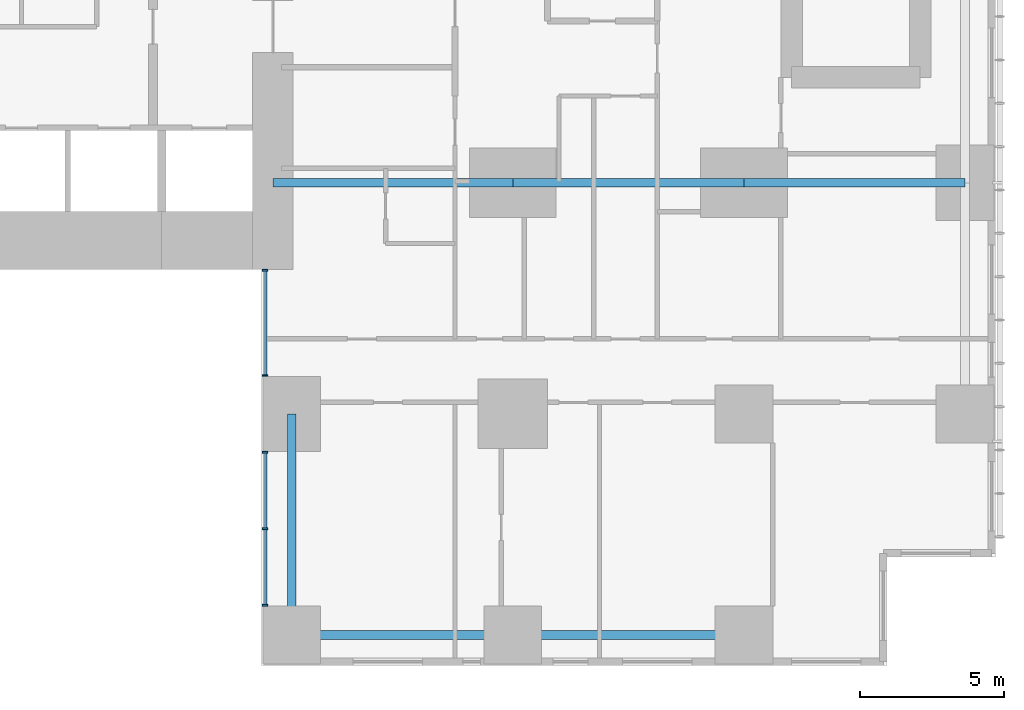
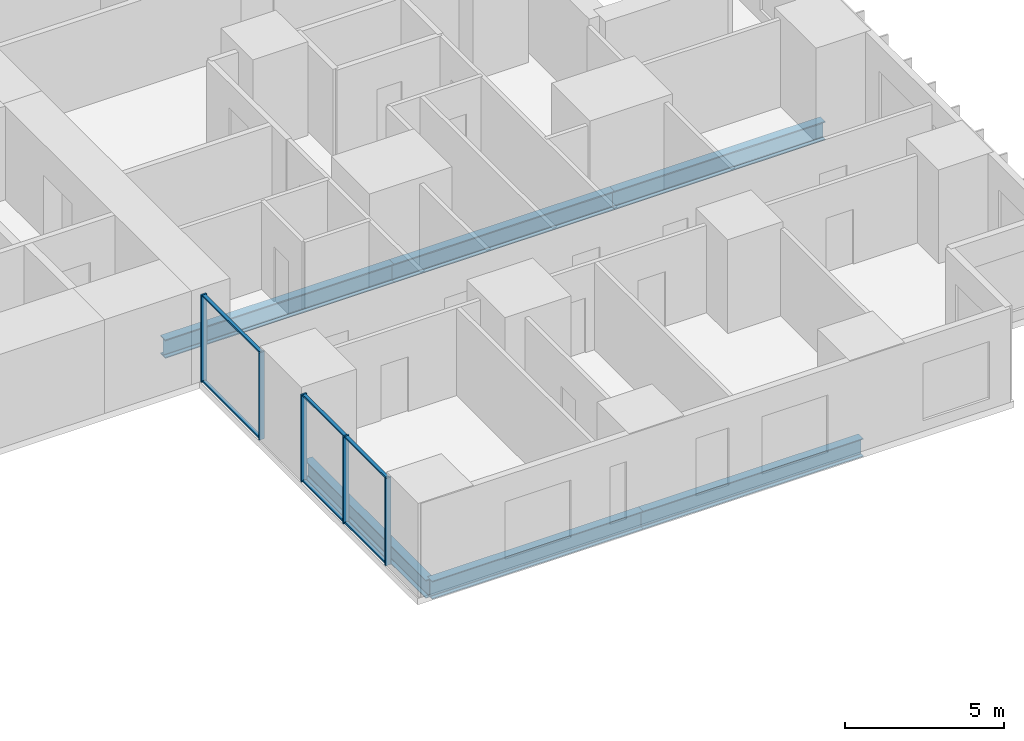
# One storey, part 3 of 20: 11 members, 6 beams, 2 elements without a shape of their own.
"""IFC4 building model written with IfcOpenShell, lengths in metres."""

from ifc_helpers import new_model, si_unit, direction, frame, origin, origin_2d, place, context, subcontext, project, spatial, rectangle, i_section, extrude, material, layer, layer_set, material_profile, profile_set, type_object, element, aggregate, save


model = new_model("IFC4")

# Units and contexts
model_context = context("Model", 3, precision=1e-05, world=origin(), true_north=direction((0.0, 1.0)))
body_context = subcontext(model_context, "Body", "Model", "MODEL_VIEW")
ifc_project = project(units=[si_unit("LENGTHUNIT", "METRE"), si_unit("AREAUNIT", "SQUARE_METRE"), si_unit("VOLUMEUNIT", "CUBIC_METRE"), si_unit("PLANEANGLEUNIT", "RADIAN"), si_unit("MASSUNIT", "GRAM", prefix="KILO")], contexts=[model_context])

# Site, building, storey
site_placement = place(None, origin())
site = spatial("IfcSite", under=ifc_project, at=site_placement, CompositionType="ELEMENT")
building_placement = place(site_placement, origin())
building = spatial("IfcBuilding", under=site, at=building_placement, Name="Cleftline Residences", CompositionType="ELEMENT")
storey_placement = place(building_placement, frame((0.0, 0.0, 143.0)))
storey = spatial("IfcBuildingStorey", under=building, at=storey_placement, Name="L37", CompositionType="ELEMENT", Elevation=143.0)

# Beams
ifc_material_1 = material(Name="Steel S355", Category="steel")
ifc_material_profile_1 = material_profile(ifc_material_1, i_section(OverallWidth=0.300048828125, OverallDepth=0.699951171875, WebThickness=0.01708984375, FlangeThickness=0.031982421875, FilletRadius=0.027099609375, at=origin_2d()))
ifc_profile_set_1 = profile_set([ifc_material_profile_1], Name="Steel S355")
beam_type_1 = type_object("IfcBeamType", Name="BEAM HEB 700", PredefinedType="BEAM", material=ifc_profile_set_1)
beam_1_placement = place(storey_placement, frame((58.0, 0.35009765625, -0.60009765625), z_axis=(-1.0, 0.0, 0.0), x_axis=(0.0, -1.0, 0.0)))
element("IfcBeam", 1, at=beam_1_placement, inside=storey, type_object=beam_type_1, Name="Edge beam", PredefinedType="BEAM", context=body_context, shape_type="SweptSolid", body=[
    extrude(i_section(OverallWidth=0.300048828125, OverallDepth=0.699951171875, WebThickness=0.01708984375, FlangeThickness=0.031982421875, FilletRadius=0.027099609375, at=origin_2d()), origin(), (0.0, 0.0, 1.0), 8.0),
])
for number, where, z_axis, x_axis, name in (
    (2, (50.0, 0.35009765625, -0.60009765625), (-1.0, 0.0, 0.0), (0.0, -1.0, 0.0), "Edge beam"),
    (3, (42.35009765625, 0.35009765625, -0.60009765625), (0.0, 1.0, 0.0), (-1.0, 0.0, 0.0), "Edge beam"),
):
    element("IfcBeam", number, at=place(storey_placement, frame(where, z_axis=z_axis, x_axis=x_axis)), inside=storey, type_object=beam_type_1, Name=name, PredefinedType="BEAM", context=body_context, shape_type="SweptSolid", body=[
        extrude(i_section(OverallWidth=0.300048828125, OverallDepth=0.699951171875, WebThickness=0.01708984375, FlangeThickness=0.031982421875, FilletRadius=0.027099609375, at=origin_2d()), origin(), (0.0, 0.0, 1.0), 7.64990234375),
    ])
ifc_material_2 = material(Name="Steel S355", Category="steel")
ifc_material_profile_2 = material_profile(ifc_material_2, i_section(OverallWidth=0.303955078125, OverallDepth=0.716064453125, WebThickness=0.02099609375, FlangeThickness=0.0400390625, FilletRadius=0.027099609375, at=origin_2d()))
ifc_profile_set_2 = profile_set([ifc_material_profile_2], Name="Steel S355")
beam_type_2 = type_object("IfcBeamType", Name="BEAM HEM 700", PredefinedType="BEAM", material=ifc_profile_set_2)
beam_2_placement = place(storey_placement, frame((65.64990234375, 16.0, -0.60791015625), z_axis=(-1.0, 0.0, 0.0), x_axis=(0.0, -1.0, 0.0)))
element("IfcBeam", 4, at=beam_2_placement, inside=storey, type_object=beam_type_2, Name="Band beam", PredefinedType="BEAM", context=body_context, shape_type="SweptSolid", body=[
    extrude(i_section(OverallWidth=0.303955078125, OverallDepth=0.716064453125, WebThickness=0.02099609375, FlangeThickness=0.0400390625, FilletRadius=0.027099609375, at=origin_2d()), origin(), (0.0, 0.0, 1.0), 7.64990234375),
])
beam_3_placement = place(storey_placement, frame((58.0, 16.0, -0.60791015625), z_axis=(-1.0, 0.0, 0.0), x_axis=(0.0, -1.0, 0.0)))
element("IfcBeam", 5, at=beam_3_placement, inside=storey, type_object=beam_type_2, Name="Band beam", PredefinedType="BEAM", context=body_context, shape_type="SweptSolid", body=[
    extrude(i_section(OverallWidth=0.303955078125, OverallDepth=0.716064453125, WebThickness=0.02099609375, FlangeThickness=0.0400390625, FilletRadius=0.027099609375, at=origin_2d()), origin(), (0.0, 0.0, 1.0), 8.0),
])
beam_4_placement = place(storey_placement, frame((50.0, 16.0, -0.60791015625), z_axis=(-1.0, 0.0, 0.0), x_axis=(0.0, -1.0, 0.0)))
element("IfcBeam", 6, at=beam_4_placement, inside=storey, type_object=beam_type_2, Name="Band beam", PredefinedType="BEAM", context=body_context, shape_type="SweptSolid", body=[
    extrude(i_section(OverallWidth=0.303955078125, OverallDepth=0.716064453125, WebThickness=0.02099609375, FlangeThickness=0.0400390625, FilletRadius=0.027099609375, at=origin_2d()), origin(), (0.0, 0.0, 1.0), 8.300048828125),
])

# Curtain wall, members
ifc_material_3 = material(Name="Aluminium framed curtain wall", Category="aluminium")
ifc_layer = layer(ifc_material_3, 0.199951171875)
ifc_layer_set = layer_set([ifc_layer], Name="CW1 CLEFT GLAZING")
curtain_wall_type = type_object("IfcCurtainWallType", Name="CW1 CLEFT GLAZING", PredefinedType="NOTDEFINED", material=ifc_layer_set)
curtain_wall_1_placement = place(storey_placement, origin())
curtain_wall_1 = element("IfcCurtainWall", 7, at=curtain_wall_1_placement, inside=storey, type_object=curtain_wall_type, Name="Curtain wall CW1", PredefinedType="NOTDEFINED")
ifc_material_4 = material(Name="Aluminium mullion", Category="aluminium")
ifc_material_profile_3 = material_profile(ifc_material_4, rectangle(XDim=0.199951171875, YDim=0.06005859375, at=origin_2d()))
ifc_profile_set_3 = profile_set([ifc_material_profile_3], Name="Aluminium mullion")
member_type_1 = type_object("IfcMemberType", Name="CW1 MULLION", PredefinedType="MULLION", material=ifc_profile_set_3)
member_1_placement = place(storey_placement, frame((41.425048828125, 12.969970703125, 0.0), z_axis=(0.0, 0.0, 1.0), x_axis=(1.0, 0.0, 0.0)))
member_1 = element("IfcMember", 8, at=member_1_placement, type_object=member_type_1, Name="CW1 mullion 1", PredefinedType="MULLION", context=body_context, shape_type="SweptSolid", body=[
    extrude(rectangle(XDim=0.199951171875, YDim=0.06005859375, at=origin_2d()), origin(), (0.0, 0.0, 1.0), 3.35009765625),
])
member_2_placement = place(storey_placement, frame((41.425048828125, 9.330078125, 0.0), z_axis=(0.0, 0.0, 1.0), x_axis=(1.0, 0.0, 0.0)))
member_2 = element("IfcMember", 9, at=member_2_placement, type_object=member_type_1, Name="CW1 mullion 2", PredefinedType="MULLION", context=body_context, shape_type="SweptSolid", body=[
    extrude(rectangle(XDim=0.199951171875, YDim=0.06005859375, at=origin_2d()), origin(), (0.0, 0.0, 1.0), 3.35009765625),
])

curtain_wall_2_placement = place(storey_placement, origin())
curtain_wall_2 = element("IfcCurtainWall", 10, at=curtain_wall_2_placement, inside=storey, type_object=curtain_wall_type, Name="Curtain wall CW1", PredefinedType="NOTDEFINED")
member_3_placement = place(storey_placement, frame((41.425048828125, 6.669921875, 0.0), z_axis=(0.0, 0.0, 1.0), x_axis=(1.0, 0.0, 0.0)))
member_3 = element("IfcMember", 11, at=member_3_placement, type_object=member_type_1, Name="CW1 mullion 1", PredefinedType="MULLION", context=body_context, shape_type="SweptSolid", body=[
    extrude(rectangle(XDim=0.199951171875, YDim=0.06005859375, at=origin_2d()), origin(), (0.0, 0.0, 1.0), 3.35009765625),
])
member_4_placement = place(storey_placement, frame((41.425048828125, 4.02490234375, 0.0), z_axis=(0.0, 0.0, 1.0), x_axis=(1.0, 0.0, 0.0)))
member_4 = element("IfcMember", 12, at=member_4_placement, type_object=member_type_1, Name="CW1 mullion 2", PredefinedType="MULLION", context=body_context, shape_type="SweptSolid", body=[
    extrude(rectangle(XDim=0.199951171875, YDim=0.06005859375, at=origin_2d()), origin(), (0.0, 0.0, 1.0), 3.35009765625),
])
member_5_placement = place(storey_placement, frame((41.425048828125, 1.3798828125, 0.0), z_axis=(0.0, 0.0, 1.0), x_axis=(1.0, 0.0, 0.0)))
member_5 = element("IfcMember", 13, at=member_5_placement, type_object=member_type_1, Name="CW1 mullion 3", PredefinedType="MULLION", context=body_context, shape_type="SweptSolid", body=[
    extrude(rectangle(XDim=0.199951171875, YDim=0.06005859375, at=origin_2d()), origin(), (0.0, 0.0, 1.0), 3.35009765625),
])

# Member
ifc_material_5 = material(Name="Aluminium transom", Category="aluminium")
ifc_material_profile_4 = material_profile(ifc_material_5, rectangle(XDim=0.1201171875, YDim=0.06005859375, at=origin_2d()))
ifc_profile_set_4 = profile_set([ifc_material_profile_4], Name="Aluminium transom")
member_type_2 = type_object("IfcMemberType", Name="CW1 TRANSOM", PredefinedType="USERDEFINED", material=ifc_profile_set_4)
member_6_placement = place(storey_placement, frame((41.425048828125, 12.93994140625, 0.030029296875), z_axis=(0.0, -1.0, 0.0), x_axis=(1.0, 0.0, 0.0)))
member_6 = element("IfcMember", 14, at=member_6_placement, type_object=member_type_2, Name="CW1 transom 1.1", ObjectType="TRANSOM", PredefinedType="USERDEFINED", context=body_context, shape_type="SweptSolid", body=[
    extrude(rectangle(XDim=0.1201171875, YDim=0.06005859375, at=origin_2d()), origin(), (0.0, 0.0, 1.0), 3.579833984375),
])

member_7_placement = place(storey_placement, frame((41.425048828125, 12.93994140625, 3.320068359375), z_axis=(0.0, -1.0, 0.0), x_axis=(1.0, 0.0, 0.0)))
member_7 = element("IfcMember", 15, at=member_7_placement, type_object=member_type_2, Name="CW1 transom 1.2", ObjectType="TRANSOM", PredefinedType="USERDEFINED", context=body_context, shape_type="SweptSolid", body=[
    extrude(rectangle(XDim=0.1201171875, YDim=0.06005859375, at=origin_2d()), origin(), (0.0, 0.0, 1.0), 3.579833984375),
])

aggregate(curtain_wall_1, [member_1, member_2, member_6, member_7])

member_8_placement = place(storey_placement, frame((41.425048828125, 6.639892578125, 0.030029296875), z_axis=(0.0, -1.0, 0.0), x_axis=(1.0, 0.0, 0.0)))
member_8 = element("IfcMember", 16, at=member_8_placement, type_object=member_type_2, Name="CW1 transom 1.1", ObjectType="TRANSOM", PredefinedType="USERDEFINED", context=body_context, shape_type="SweptSolid", body=[
    extrude(rectangle(XDim=0.1201171875, YDim=0.06005859375, at=origin_2d()), origin(), (0.0, 0.0, 1.0), 2.5849609375),
])

member_9_placement = place(storey_placement, frame((41.425048828125, 6.639892578125, 3.320068359375), z_axis=(0.0, -1.0, 0.0), x_axis=(1.0, 0.0, 0.0)))
member_9 = element("IfcMember", 17, at=member_9_placement, type_object=member_type_2, Name="CW1 transom 1.2", ObjectType="TRANSOM", PredefinedType="USERDEFINED", context=body_context, shape_type="SweptSolid", body=[
    extrude(rectangle(XDim=0.1201171875, YDim=0.06005859375, at=origin_2d()), origin(), (0.0, 0.0, 1.0), 2.5849609375),
])

member_10_placement = place(storey_placement, frame((41.425048828125, 3.9951171875, 0.030029296875), z_axis=(0.0, -1.0, 0.0), x_axis=(1.0, 0.0, 0.0)))
member_10 = element("IfcMember", 18, at=member_10_placement, type_object=member_type_2, Name="CW1 transom 2.1", ObjectType="TRANSOM", PredefinedType="USERDEFINED", context=body_context, shape_type="SweptSolid", body=[
    extrude(rectangle(XDim=0.1201171875, YDim=0.06005859375, at=origin_2d()), origin(), (0.0, 0.0, 1.0), 2.585205078125),
])

member_11_placement = place(storey_placement, frame((41.425048828125, 3.9951171875, 3.320068359375), z_axis=(0.0, -1.0, 0.0), x_axis=(1.0, 0.0, 0.0)))
member_11 = element("IfcMember", 19, at=member_11_placement, type_object=member_type_2, Name="CW1 transom 2.2", ObjectType="TRANSOM", PredefinedType="USERDEFINED", context=body_context, shape_type="SweptSolid", body=[
    extrude(rectangle(XDim=0.1201171875, YDim=0.06005859375, at=origin_2d()), origin(), (0.0, 0.0, 1.0), 2.585205078125),
])

aggregate(curtain_wall_2, [member_3, member_4, member_5, member_8, member_9, member_10, member_11])

save(model, "model.ifc")
